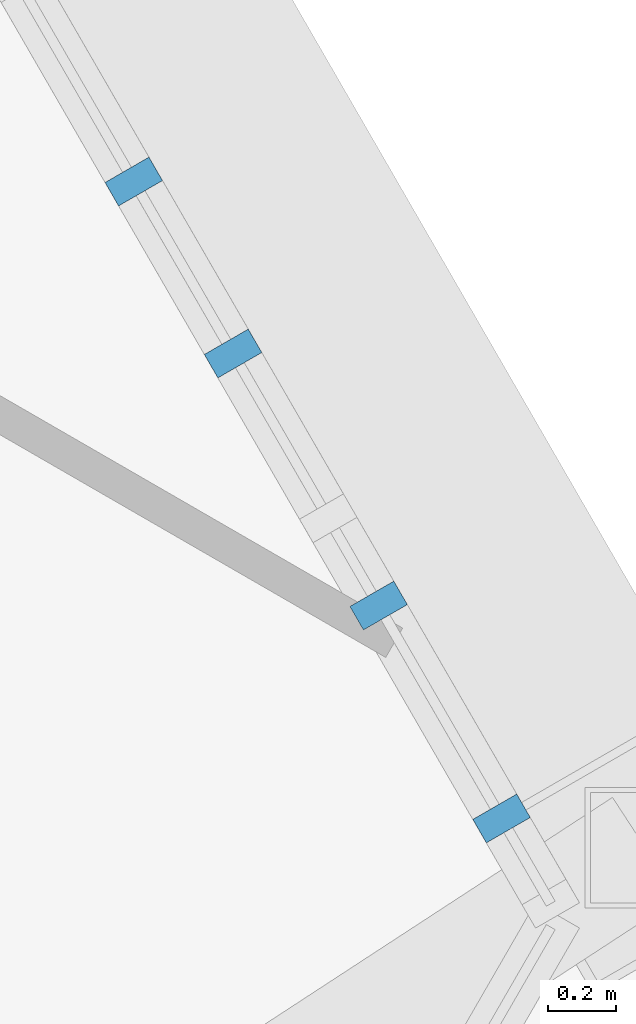
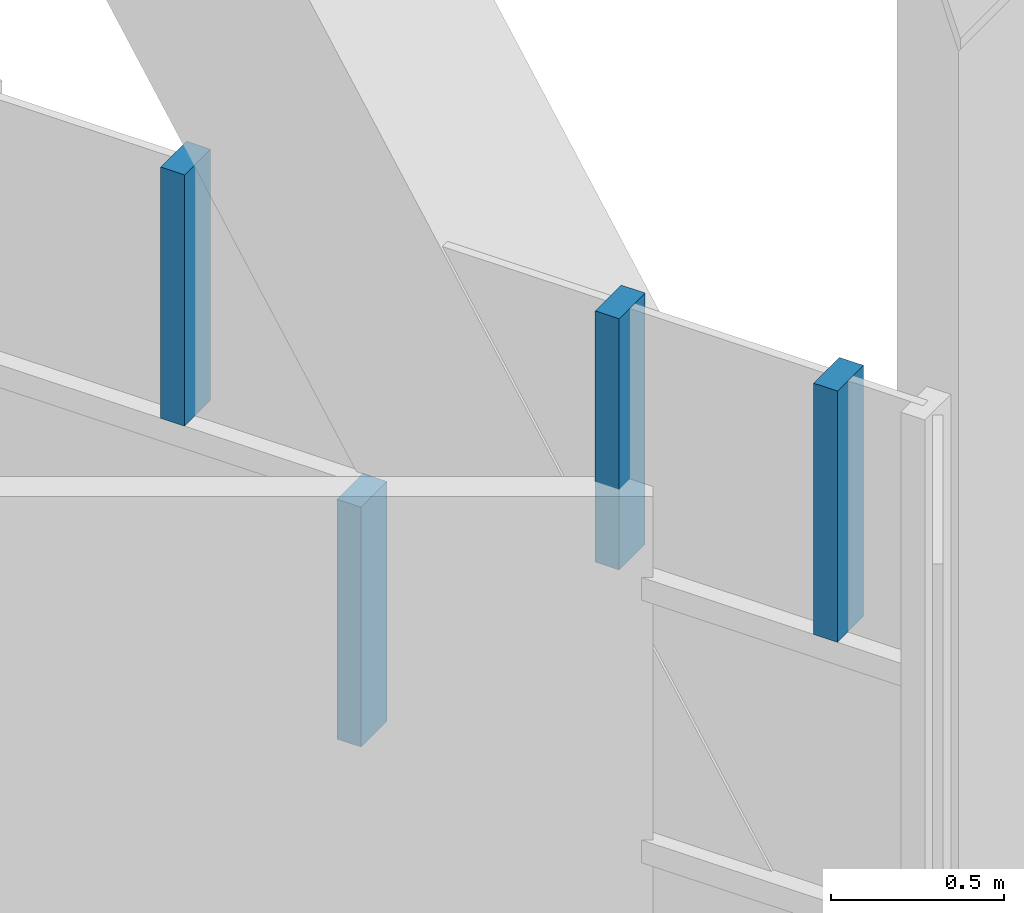
# One storey, part 9 of 21: 4 members, 1 element without a shape of its own.
"""IFC4 building model written with IfcOpenShell, lengths in metres."""

from ifc_helpers import new_model, si_unit, direction, frame, origin, origin_2d, place, context, subcontext, project, spatial, rectangle, extrude, material, layer, layer_set, material_profile, profile_set, type_object, element, aggregate, save


model = new_model("IFC4")

# Units and contexts
model_context = context("Model", 3, precision=1e-05, world=origin(), true_north=direction((0.0, 1.0)))
body_context = subcontext(model_context, "Body", "Model", "MODEL_VIEW")
ifc_project = project(units=[si_unit("LENGTHUNIT", "METRE"), si_unit("AREAUNIT", "SQUARE_METRE"), si_unit("VOLUMEUNIT", "CUBIC_METRE"), si_unit("PLANEANGLEUNIT", "RADIAN"), si_unit("MASSUNIT", "GRAM", prefix="KILO")], contexts=[model_context])

# Site, building, storey
site_placement = place(None, origin())
site = spatial("IfcSite", under=ifc_project, at=site_placement, CompositionType="ELEMENT")
building_placement = place(site_placement, origin())
building = spatial("IfcBuilding", under=site, at=building_placement, Name="Firuza Gate Tower and Library", CompositionType="ELEMENT")
storey_placement = place(building_placement, frame((0.0, 0.0, 281.10009765625)))
storey = spatial("IfcBuildingStorey", under=building, at=storey_placement, Name="L67", CompositionType="ELEMENT", Elevation=281.10009765625)

# Curtain wall, members
ifc_material_1 = material(Name="Aluminium 6063-T6", Category="aluminium")
ifc_layer = layer(ifc_material_1, 0.14990234375)
ifc_layer_set = layer_set([ifc_layer], Name="Unitised curtain wall, residences")
curtain_wall_type = type_object("IfcCurtainWallType", Name="Unitised curtain wall, residences", PredefinedType="NOTDEFINED", material=ifc_layer_set)
curtain_wall_placement = place(storey_placement, origin())
curtain_wall = element("IfcCurtainWall", 1, at=curtain_wall_placement, inside=storey, type_object=curtain_wall_type, Name="CW3 L67 E face", PredefinedType="NOTDEFINED")
ifc_material_2 = material(Name="Aluminium 6063-T6", Category="aluminium")
ifc_material_profile = material_profile(ifc_material_2, rectangle(XDim=0.14990234375, YDim=0.080078125, at=origin_2d()))
ifc_profile_set = profile_set([ifc_material_profile], Name="Aluminium 6063-T6")
member_type = type_object("IfcMemberType", Name="Curtain wall mullion 80x150", PredefinedType="MULLION", material=ifc_profile_set)
member_1_placement = place(storey_placement, frame((100.08984375, 65.8291015625, 1.489990234375), z_axis=(0.0, 0.0, 1.0), x_axis=(-0.866025403784, -0.5, 0.0)))
member_1 = element("IfcMember", 2, at=member_1_placement, type_object=member_type, Name="Mullion", PredefinedType="MULLION", context=body_context, shape_type="SweptSolid", body=[
    extrude(rectangle(XDim=0.14990234375, YDim=0.080078125, at=origin_2d()), origin(), (0.0, 0.0, 1.0), 0.844970703125),
])
member_2_placement = place(storey_placement, frame((100.8837890625, 64.4541015625, 2.414794921875), z_axis=(0.0, 0.0, 1.0), x_axis=(-0.866025403784, -0.5, 0.0)))
member_2 = element("IfcMember", 3, at=member_2_placement, type_object=member_type, Name="Mullion", PredefinedType="MULLION", context=body_context, shape_type="SweptSolid", body=[
    extrude(rectangle(XDim=0.14990234375, YDim=0.080078125, at=origin_2d()), origin(), (0.0, 0.0, 1.0), 0.885009765625),
])
member_3_placement = place(storey_placement, frame((100.520263671875, 65.083740234375, 2.414794921875), z_axis=(0.0, 0.0, 1.0), x_axis=(-0.866025403784, -0.5, 0.0)))
member_3 = element("IfcMember", 4, at=member_3_placement, type_object=member_type, Name="Mullion", PredefinedType="MULLION", context=body_context, shape_type="SweptSolid", body=[
    extrude(rectangle(XDim=0.14990234375, YDim=0.080078125, at=origin_2d()), origin(), (0.0, 0.0, 1.0), 0.885009765625),
])
member_4_placement = place(storey_placement, frame((99.796142578125, 66.337646484375, 2.414794921875), z_axis=(0.0, 0.0, 1.0), x_axis=(-0.866025403784, -0.5, 0.0)))
member_4 = element("IfcMember", 5, at=member_4_placement, type_object=member_type, Name="Mullion", PredefinedType="MULLION", context=body_context, shape_type="SweptSolid", body=[
    extrude(rectangle(XDim=0.14990234375, YDim=0.080078125, at=origin_2d()), origin(), (0.0, 0.0, 1.0), 0.885009765625),
])
aggregate(curtain_wall, [member_1, member_2, member_3, member_4])

save(model, "model.ifc")
